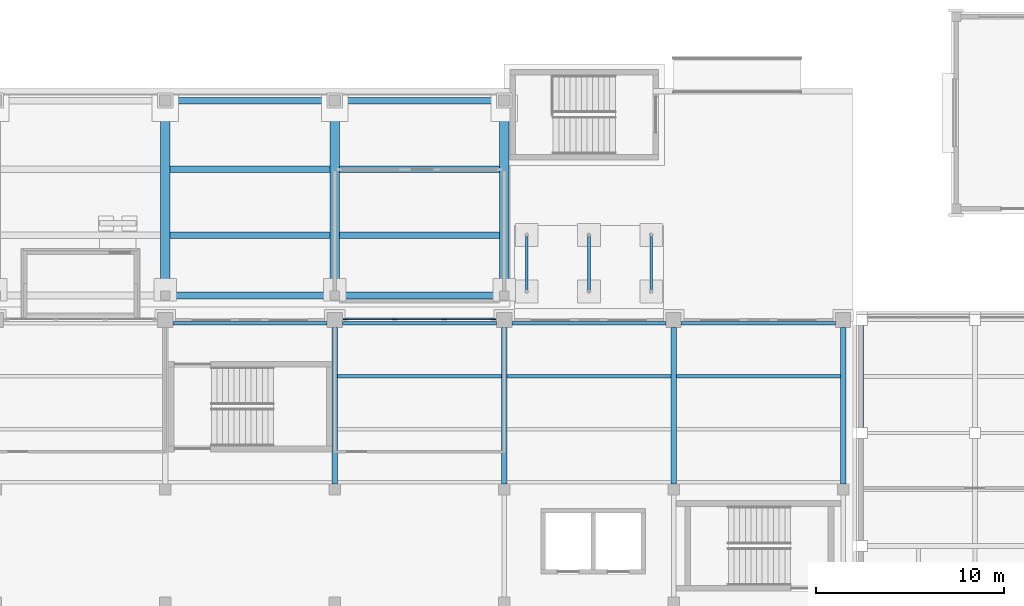
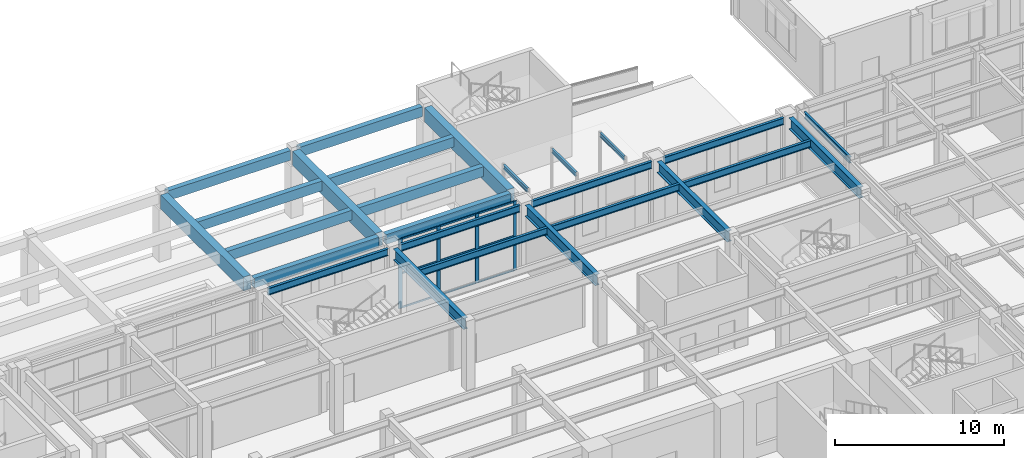
# One storey, part 26 of 77: 26 beams, 13 members, 1 element without a shape of its own.
"""IFC4 building model written with IfcOpenShell, lengths in metres."""

from ifc_helpers import new_model, si_unit, direction, frame, origin, origin_2d, place, context, subcontext, project, spatial, rectangle, i_section, extrude, material, material_profile, profile_set, type_object, element, aggregate, save


model = new_model("IFC4")

# Units and contexts
model_context = context("Model", 3, precision=1e-05, world=origin(), true_north=direction((0.0, 1.0)))
body_context = subcontext(model_context, "Body", "Model", "MODEL_VIEW")
ifc_project = project(units=[si_unit("LENGTHUNIT", "METRE"), si_unit("AREAUNIT", "SQUARE_METRE"), si_unit("VOLUMEUNIT", "CUBIC_METRE"), si_unit("PLANEANGLEUNIT", "RADIAN"), si_unit("MASSUNIT", "GRAM", prefix="KILO")], contexts=[model_context])

# Site, building, storey
site_placement = place(None, origin())
site = spatial("IfcSite", under=ifc_project, at=site_placement, CompositionType="ELEMENT")
building_placement = place(site_placement, origin())
building = spatial("IfcBuilding", under=site, at=building_placement, Name="Aravalli Gate Trade Fair Centre", CompositionType="ELEMENT")
storey_placement = place(building_placement, origin())
storey = spatial("IfcBuildingStorey", under=building, at=storey_placement, Name="L00", CompositionType="ELEMENT", Elevation=0.0)

# Beams
ifc_material_1 = material(Name="Concrete M40", Category="concrete")
ifc_material_profile_1 = material_profile(ifc_material_1, rectangle(XDim=0.5, YDim=1.0, at=origin_2d()), Name="Arcade cross beam 500 x 1000")
ifc_profile_set_1 = profile_set([ifc_material_profile_1], Name="Concrete M40")
beam_type_1 = type_object("IfcBeamType", Name="Arcade cross beam 500 x 1000", PredefinedType="BEAM", material=ifc_profile_set_1)
for number, where, z_axis, x_axis, name in (
    (1, (123.0, 134.550048828125, 4.25), (0.0, 1.0, 0.0), (-1.0, 0.0, 0.0), "Arcade cross beam 14"),
    (2, (132.0, 134.550048828125, 4.25), (0.0, 1.0, 0.0), (-1.0, 0.0, 0.0), "Arcade cross beam 15"),
    (3, (141.0, 134.550048828125, 4.25), (0.0, 1.0, 0.0), (-1.0, 0.0, 0.0), "Arcade cross beam 16"),
):
    element("IfcBeam", number, at=place(storey_placement, frame(where, z_axis=z_axis, x_axis=x_axis)), inside=storey, type_object=beam_type_1, Name=name, PredefinedType="BEAM", context=body_context, shape_type="SweptSolid", body=[
        extrude(rectangle(XDim=0.5, YDim=1.0, at=origin_2d()), origin(), (0.0, 0.0, 1.0), 9.800048828125),
    ])
ifc_material_profile_2 = material_profile(ifc_material_1, rectangle(XDim=0.35009765625, YDim=0.699951171875, at=origin_2d()), Name="Arcade terrace beam 350 x 700")
ifc_profile_set_2 = profile_set([ifc_material_profile_2], Name="Concrete M40")
beam_type_2 = type_object("IfcBeamType", Name="Arcade terrace beam 350 x 700", PredefinedType="BEAM", material=ifc_profile_set_2)
for number, where, z_axis, x_axis, name in (
    (4, (123.25, 134.300048828125, 4.39990234375), (1.0, 0.0, 0.0), (0.0, 1.0, 0.0), "Arcade terrace beam 1.14-15"),
    (5, (123.25, 137.5, 4.39990234375), (1.0, 0.0, 0.0), (0.0, 1.0, 0.0), "Arcade terrace beam 2.14-15"),
    (6, (123.25, 141.0, 4.39990234375), (1.0, 0.0, 0.0), (0.0, 1.0, 0.0), "Arcade terrace beam 3.14-15"),
):
    element("IfcBeam", number, at=place(storey_placement, frame(where, z_axis=z_axis, x_axis=x_axis)), inside=storey, type_object=beam_type_2, Name=name, PredefinedType="BEAM", context=body_context, shape_type="SweptSolid", body=[
        extrude(rectangle(XDim=0.35009765625, YDim=0.699951171875, at=origin_2d()), origin(), (0.0, 0.0, 1.0), 8.5),
    ])
beam_1_placement = place(storey_placement, frame((123.300048828125, 144.64990234375, 4.39990234375), z_axis=(1.0, 0.0, 0.0), x_axis=(0.0, 1.0, 0.0)))
element("IfcBeam", 7, at=beam_1_placement, inside=storey, type_object=beam_type_2, Name="Arcade terrace beam 4.14-15", PredefinedType="BEAM", context=body_context, shape_type="SweptSolid", body=[
    extrude(rectangle(XDim=0.35009765625, YDim=0.699951171875, at=origin_2d()), origin(), (0.0, 0.0, 1.0), 8.39990234375),
])
for number, where, z_axis, x_axis, name in (
    (8, (132.25, 134.300048828125, 4.39990234375), (1.0, 0.0, 0.0), (0.0, 1.0, 0.0), "Arcade terrace beam 1.15-16"),
    (9, (132.25, 137.5, 4.39990234375), (1.0, 0.0, 0.0), (0.0, 1.0, 0.0), "Arcade terrace beam 2.15-16"),
    (10, (132.25, 141.0, 4.39990234375), (1.0, 0.0, 0.0), (0.0, 1.0, 0.0), "Arcade terrace beam 3.15-16"),
):
    element("IfcBeam", number, at=place(storey_placement, frame(where, z_axis=z_axis, x_axis=x_axis)), inside=storey, type_object=beam_type_2, Name=name, PredefinedType="BEAM", context=body_context, shape_type="SweptSolid", body=[
        extrude(rectangle(XDim=0.35009765625, YDim=0.699951171875, at=origin_2d()), origin(), (0.0, 0.0, 1.0), 8.5),
    ])
beam_2_placement = place(storey_placement, frame((132.300048828125, 144.64990234375, 4.39990234375), z_axis=(1.0, 0.0, 0.0), x_axis=(0.0, 1.0, 0.0)))
element("IfcBeam", 11, at=beam_2_placement, inside=storey, type_object=beam_type_2, Name="Arcade terrace beam 4.15-16", PredefinedType="BEAM", context=body_context, shape_type="SweptSolid", body=[
    extrude(rectangle(XDim=0.35009765625, YDim=0.699951171875, at=origin_2d()), origin(), (0.0, 0.0, 1.0), 8.39990234375),
])

# Curtain wall, members
ifc_material_2 = material(Name="Aluminium and glass", Category="aluminium")
curtain_wall_type = type_object("IfcCurtainWallType", Name="Curtain wall 3000 module, tall", PredefinedType="NOTDEFINED", material=ifc_material_2)
curtain_wall_placement = place(storey_placement, origin())
curtain_wall = element("IfcCurtainWall", 12, at=curtain_wall_placement, inside=storey, type_object=curtain_wall_type, Name="Curtain wall north bay 16 L00", PredefinedType="NOTDEFINED")
ifc_material_3 = material(Name="Aluminium", Category="aluminium")
ifc_material_profile_3 = material_profile(ifc_material_3, rectangle(XDim=0.06005859375, YDim=0.25, at=origin_2d()), Name="Concourse curtain wall mullion 60 x 250")
ifc_profile_set_3 = profile_set([ifc_material_profile_3], Name="Aluminium")
member_type_1 = type_object("IfcMemberType", Name="Concourse curtain wall mullion 60 x 250", PredefinedType="MULLION", material=ifc_profile_set_3)
member_1_placement = place(storey_placement, frame((132.580078125, 133.044921875, 0.0), z_axis=(0.0, 0.0, 1.0), x_axis=(0.0, 1.0, 0.0)))
member_1 = element("IfcMember", 13, at=member_1_placement, type_object=member_type_1, Name="CW3 mullion 1", PredefinedType="MULLION", context=body_context, shape_type="SweptSolid", body=[
    extrude(rectangle(XDim=0.06005859375, YDim=0.25, at=origin_2d()), origin(), (0.0, 0.0, 1.0), 5.0),
])
member_2_placement = place(storey_placement, frame((135.183349609375, 133.044921875, 0.0), z_axis=(0.0, 0.0, 1.0), x_axis=(0.0, 1.0, 0.0)))
member_2 = element("IfcMember", 14, at=member_2_placement, type_object=member_type_1, Name="CW3 mullion 2", PredefinedType="MULLION", context=body_context, shape_type="SweptSolid", body=[
    extrude(rectangle(XDim=0.06005859375, YDim=0.25, at=origin_2d()), origin(), (0.0, 0.0, 1.0), 5.0),
])
member_3_placement = place(storey_placement, frame((137.816650390625, 133.044921875, 0.0), z_axis=(0.0, 0.0, 1.0), x_axis=(0.0, 1.0, 0.0)))
member_3 = element("IfcMember", 15, at=member_3_placement, type_object=member_type_1, Name="CW3 mullion 3", PredefinedType="MULLION", context=body_context, shape_type="SweptSolid", body=[
    extrude(rectangle(XDim=0.06005859375, YDim=0.25, at=origin_2d()), origin(), (0.0, 0.0, 1.0), 5.0),
])
member_4_placement = place(storey_placement, frame((140.419921875, 133.044921875, 0.0), z_axis=(0.0, 0.0, 1.0), x_axis=(0.0, 1.0, 0.0)))
member_4 = element("IfcMember", 16, at=member_4_placement, type_object=member_type_1, Name="CW3 mullion 4", PredefinedType="MULLION", context=body_context, shape_type="SweptSolid", body=[
    extrude(rectangle(XDim=0.06005859375, YDim=0.25, at=origin_2d()), origin(), (0.0, 0.0, 1.0), 5.0),
])
ifc_material_profile_4 = material_profile(ifc_material_3, rectangle(XDim=0.06005859375, YDim=0.1201171875, at=origin_2d()), Name="Concourse curtain wall transom 60 x 120")
ifc_profile_set_4 = profile_set([ifc_material_profile_4], Name="Aluminium")
member_type_2 = type_object("IfcMemberType", Name="Concourse curtain wall transom 60 x 120", PredefinedType="USERDEFINED", material=ifc_profile_set_4)
member_5_placement = place(storey_placement, frame((132.610107421875, 133.044921875, 0.030029296875), z_axis=(1.0, 0.0, 0.0), x_axis=(0.0, 1.0, 0.0)))
member_5 = element("IfcMember", 17, at=member_5_placement, type_object=member_type_2, Name="CW3 transom 1.1", ObjectType="TRANSOM", PredefinedType="USERDEFINED", context=body_context, shape_type="SweptSolid", body=[
    extrude(rectangle(XDim=0.06005859375, YDim=0.1201171875, at=origin_2d()), origin(), (0.0, 0.0, 1.0), 2.543212890625),
])
member_6_placement = place(storey_placement, frame((132.610107421875, 133.044921875, 2.5), z_axis=(1.0, 0.0, 0.0), x_axis=(0.0, 1.0, 0.0)))
member_6 = element("IfcMember", 18, at=member_6_placement, type_object=member_type_2, Name="CW3 transom 1.2", ObjectType="TRANSOM", PredefinedType="USERDEFINED", context=body_context, shape_type="SweptSolid", body=[
    extrude(rectangle(XDim=0.06005859375, YDim=0.1201171875, at=origin_2d()), origin(), (0.0, 0.0, 1.0), 2.543212890625),
])
member_7_placement = place(storey_placement, frame((132.610107421875, 133.044921875, 4.969970703125), z_axis=(1.0, 0.0, 0.0), x_axis=(0.0, 1.0, 0.0)))
member_7 = element("IfcMember", 19, at=member_7_placement, type_object=member_type_2, Name="CW3 transom 1.3", ObjectType="TRANSOM", PredefinedType="USERDEFINED", context=body_context, shape_type="SweptSolid", body=[
    extrude(rectangle(XDim=0.06005859375, YDim=0.1201171875, at=origin_2d()), origin(), (0.0, 0.0, 1.0), 2.543212890625),
])
member_8_placement = place(storey_placement, frame((135.21337890625, 133.044921875, 0.030029296875), z_axis=(1.0, 0.0, 0.0), x_axis=(0.0, 1.0, 0.0)))
member_8 = element("IfcMember", 20, at=member_8_placement, type_object=member_type_2, Name="CW3 transom 2.1", ObjectType="TRANSOM", PredefinedType="USERDEFINED", context=body_context, shape_type="SweptSolid", body=[
    extrude(rectangle(XDim=0.06005859375, YDim=0.1201171875, at=origin_2d()), origin(), (0.0, 0.0, 1.0), 2.5732421875),
])
member_9_placement = place(storey_placement, frame((135.21337890625, 133.044921875, 2.5), z_axis=(1.0, 0.0, 0.0), x_axis=(0.0, 1.0, 0.0)))
member_9 = element("IfcMember", 21, at=member_9_placement, type_object=member_type_2, Name="CW3 transom 2.2", ObjectType="TRANSOM", PredefinedType="USERDEFINED", context=body_context, shape_type="SweptSolid", body=[
    extrude(rectangle(XDim=0.06005859375, YDim=0.1201171875, at=origin_2d()), origin(), (0.0, 0.0, 1.0), 2.5732421875),
])
member_10_placement = place(storey_placement, frame((135.21337890625, 133.044921875, 4.969970703125), z_axis=(1.0, 0.0, 0.0), x_axis=(0.0, 1.0, 0.0)))
member_10 = element("IfcMember", 22, at=member_10_placement, type_object=member_type_2, Name="CW3 transom 2.3", ObjectType="TRANSOM", PredefinedType="USERDEFINED", context=body_context, shape_type="SweptSolid", body=[
    extrude(rectangle(XDim=0.06005859375, YDim=0.1201171875, at=origin_2d()), origin(), (0.0, 0.0, 1.0), 2.5732421875),
])
member_11_placement = place(storey_placement, frame((137.8466796875, 133.044921875, 0.030029296875), z_axis=(1.0, 0.0, 0.0), x_axis=(0.0, 1.0, 0.0)))
member_11 = element("IfcMember", 23, at=member_11_placement, type_object=member_type_2, Name="CW3 transom 3.1", ObjectType="TRANSOM", PredefinedType="USERDEFINED", context=body_context, shape_type="SweptSolid", body=[
    extrude(rectangle(XDim=0.06005859375, YDim=0.1201171875, at=origin_2d()), origin(), (0.0, 0.0, 1.0), 2.543212890625),
])
member_12_placement = place(storey_placement, frame((137.8466796875, 133.044921875, 2.5), z_axis=(1.0, 0.0, 0.0), x_axis=(0.0, 1.0, 0.0)))
member_12 = element("IfcMember", 24, at=member_12_placement, type_object=member_type_2, Name="CW3 transom 3.2", ObjectType="TRANSOM", PredefinedType="USERDEFINED", context=body_context, shape_type="SweptSolid", body=[
    extrude(rectangle(XDim=0.06005859375, YDim=0.1201171875, at=origin_2d()), origin(), (0.0, 0.0, 1.0), 2.543212890625),
])
member_13_placement = place(storey_placement, frame((137.8466796875, 133.044921875, 4.969970703125), z_axis=(1.0, 0.0, 0.0), x_axis=(0.0, 1.0, 0.0)))
member_13 = element("IfcMember", 25, at=member_13_placement, type_object=member_type_2, Name="CW3 transom 3.3", ObjectType="TRANSOM", PredefinedType="USERDEFINED", context=body_context, shape_type="SweptSolid", body=[
    extrude(rectangle(XDim=0.06005859375, YDim=0.1201171875, at=origin_2d()), origin(), (0.0, 0.0, 1.0), 2.543212890625),
])
aggregate(curtain_wall, [member_1, member_2, member_3, member_4, member_5, member_6, member_7, member_8, member_9, member_10, member_11, member_12, member_13])

# Beams
ifc_material_4 = material(Name="Steel E350", Category="steel")
ifc_material_profile_5 = material_profile(ifc_material_4, i_section(OverallWidth=0.139892578125, OverallDepth=0.300048828125, WebThickness=0.0078125, FlangeThickness=0.01318359375, at=origin_2d()), Name="ISMB 300")
ifc_profile_set_5 = profile_set([ifc_material_profile_5], Name="Steel E350")
beam_type_3 = type_object("IfcBeamType", Name="ISMB 300 canopy beam", PredefinedType="BEAM", material=ifc_profile_set_5)
for number, where, z_axis, x_axis, name in (
    (26, (142.199951171875, 134.598388671875, 4.199951171875), (0.0, 1.0, 0.0), (-1.0, 0.0, 0.0), "Canopy beam east 1"),
    (27, (145.5, 134.598388671875, 4.199951171875), (0.0, 1.0, 0.0), (-1.0, 0.0, 0.0), "Canopy beam east 2"),
    (28, (148.800048828125, 134.598388671875, 4.199951171875), (0.0, 1.0, 0.0), (-1.0, 0.0, 0.0), "Canopy beam east 3"),
):
    element("IfcBeam", number, at=place(storey_placement, frame(where, z_axis=z_axis, x_axis=x_axis)), inside=storey, type_object=beam_type_3, Name=name, PredefinedType="BEAM", context=body_context, shape_type="SweptSolid", body=[
        extrude(i_section(OverallWidth=0.139892578125, OverallDepth=0.300048828125, WebThickness=0.0078125, FlangeThickness=0.01318359375, at=origin_2d()), origin(), (0.0, 0.0, 1.0), 2.831787109375),
    ])
ifc_material_profile_6 = material_profile(ifc_material_4, i_section(OverallWidth=0.179931640625, OverallDepth=0.5, WebThickness=0.01025390625, FlangeThickness=0.01708984375, at=origin_2d()), Name="ISMB 500")
ifc_profile_set_6 = profile_set([ifc_material_profile_6], Name="Steel E350")
beam_type_4 = type_object("IfcBeamType", Name="ISMB 500 gallery secondary beam", PredefinedType="JOIST", material=ifc_profile_set_6)
beam_3_placement = place(storey_placement, frame((123.39990234375, 132.830078125, 4.550048828125), z_axis=(1.0, 0.0, 0.0), x_axis=(0.0, 1.0, 0.0)))
element("IfcBeam", 29, at=beam_3_placement, inside=storey, type_object=beam_type_4, Name="Gallery beam N7 14-15 L01", PredefinedType="JOIST", context=body_context, shape_type="SweptSolid", body=[
    extrude(i_section(OverallWidth=0.179931640625, OverallDepth=0.5, WebThickness=0.01025390625, FlangeThickness=0.01708984375, at=origin_2d()), origin(), (0.0, 0.0, 1.0), 8.2001953125),
])
beam_4_placement = place(storey_placement, frame((132.14990234375, 130.0166015625, 4.550048828125), z_axis=(1.0, 0.0, 0.0), x_axis=(0.0, 1.0, 0.0)))
element("IfcBeam", 30, at=beam_4_placement, inside=storey, type_object=beam_type_4, Name="Gallery beam N6 15-16 L01", PredefinedType="JOIST", context=body_context, shape_type="SweptSolid", body=[
    extrude(i_section(OverallWidth=0.179931640625, OverallDepth=0.5, WebThickness=0.01025390625, FlangeThickness=0.01708984375, at=origin_2d()), origin(), (0.0, 0.0, 1.0), 8.7001953125),
])
beam_5_placement = place(storey_placement, frame((132.39990234375, 132.830078125, 4.550048828125), z_axis=(1.0, 0.0, 0.0), x_axis=(0.0, 1.0, 0.0)))
element("IfcBeam", 31, at=beam_5_placement, inside=storey, type_object=beam_type_4, Name="Gallery beam N7 15-16 L01", PredefinedType="JOIST", context=body_context, shape_type="SweptSolid", body=[
    extrude(i_section(OverallWidth=0.179931640625, OverallDepth=0.5, WebThickness=0.01025390625, FlangeThickness=0.01708984375, at=origin_2d()), origin(), (0.0, 0.0, 1.0), 8.2001953125),
])
beam_6_placement = place(storey_placement, frame((141.14990234375, 130.0166015625, 4.550048828125), z_axis=(1.0, 0.0, 0.0), x_axis=(0.0, 1.0, 0.0)))
element("IfcBeam", 32, at=beam_6_placement, inside=storey, type_object=beam_type_4, Name="Gallery beam N6 16-17 L01", PredefinedType="JOIST", context=body_context, shape_type="SweptSolid", body=[
    extrude(i_section(OverallWidth=0.179931640625, OverallDepth=0.5, WebThickness=0.01025390625, FlangeThickness=0.01708984375, at=origin_2d()), origin(), (0.0, 0.0, 1.0), 8.7001953125),
])
beam_7_placement = place(storey_placement, frame((141.39990234375, 132.830078125, 4.550048828125), z_axis=(1.0, 0.0, 0.0), x_axis=(0.0, 1.0, 0.0)))
element("IfcBeam", 33, at=beam_7_placement, inside=storey, type_object=beam_type_4, Name="Gallery beam N7 16-17 L01", PredefinedType="JOIST", context=body_context, shape_type="SweptSolid", body=[
    extrude(i_section(OverallWidth=0.179931640625, OverallDepth=0.5, WebThickness=0.01025390625, FlangeThickness=0.01708984375, at=origin_2d()), origin(), (0.0, 0.0, 1.0), 8.2001953125),
])
beam_8_placement = place(storey_placement, frame((150.14990234375, 130.0166015625, 4.550048828125), z_axis=(1.0, 0.0, 0.0), x_axis=(0.0, 1.0, 0.0)))
element("IfcBeam", 34, at=beam_8_placement, inside=storey, type_object=beam_type_4, Name="Gallery beam N6 17-E L01", PredefinedType="JOIST", context=body_context, shape_type="SweptSolid", body=[
    extrude(i_section(OverallWidth=0.179931640625, OverallDepth=0.5, WebThickness=0.01025390625, FlangeThickness=0.01708984375, at=origin_2d()), origin(), (0.0, 0.0, 1.0), 8.7001953125),
])
beam_9_placement = place(storey_placement, frame((150.39990234375, 132.830078125, 4.550048828125), z_axis=(1.0, 0.0, 0.0), x_axis=(0.0, 1.0, 0.0)))
element("IfcBeam", 35, at=beam_9_placement, inside=storey, type_object=beam_type_4, Name="Gallery beam N7 17-E L01", PredefinedType="JOIST", context=body_context, shape_type="SweptSolid", body=[
    extrude(i_section(OverallWidth=0.179931640625, OverallDepth=0.5, WebThickness=0.01025390625, FlangeThickness=0.01708984375, at=origin_2d()), origin(), (0.0, 0.0, 1.0), 8.2001953125),
])
ifc_material_profile_7 = material_profile(ifc_material_4, i_section(OverallWidth=0.300048828125, OverallDepth=0.800048828125, WebThickness=0.011962890625, FlangeThickness=0.02490234375, at=origin_2d()), Name="PG 800x300x12x25")
ifc_profile_set_7 = profile_set([ifc_material_profile_7], Name="Steel E350")
beam_type_5 = type_object("IfcBeamType", Name="PG 800x300x12x25 gallery plate girder", PredefinedType="BEAM", material=ifc_profile_set_7)
for number, where, z_axis, x_axis, name in (
    (36, (132.0, 124.300048828125, 4.39990234375), (0.0, 1.0, 0.0), (-1.0, 0.0, 0.0), "Gallery girder N15 L01"),
    (37, (141.0, 124.300048828125, 4.39990234375), (0.0, 1.0, 0.0), (-1.0, 0.0, 0.0), "Gallery girder N16 L01"),
    (38, (150.0, 124.300048828125, 4.39990234375), (0.0, 1.0, 0.0), (-1.0, 0.0, 0.0), "Gallery girder N17 L01"),
    (39, (159.0, 124.300048828125, 4.39990234375), (0.0, 1.0, 0.0), (-1.0, 0.0, 0.0), "Gallery girder NE L01"),
):
    element("IfcBeam", number, at=place(storey_placement, frame(where, z_axis=z_axis, x_axis=x_axis)), inside=storey, type_object=beam_type_5, Name=name, PredefinedType="BEAM", context=body_context, shape_type="SweptSolid", body=[
        extrude(i_section(OverallWidth=0.300048828125, OverallDepth=0.800048828125, WebThickness=0.011962890625, FlangeThickness=0.02490234375, at=origin_2d()), origin(), (0.0, 0.0, 1.0), 8.300048828125),
    ])
ifc_material_profile_8 = material_profile(ifc_material_4, i_section(OverallWidth=0.14990234375, OverallDepth=0.449951171875, WebThickness=0.009521484375, FlangeThickness=0.017333984375, at=origin_2d()), Name="ISMB 450")
ifc_profile_set_8 = profile_set([ifc_material_profile_8], Name="Steel E350")
beam_type_6 = type_object("IfcBeamType", Name="Wing perimeter beam ISMB 450 (podium floors)", PredefinedType="BEAM", material=ifc_profile_set_8)
beam_10_placement = place(storey_placement, frame((160.0, 127.300048828125, 4.574951171875), z_axis=(0.0, 1.0, 0.0), x_axis=(-1.0, 0.0, 0.0)))
element("IfcBeam", 40, at=beam_10_placement, inside=storey, type_object=beam_type_6, Name="Perimeter beam EW6 L01", PredefinedType="BEAM", context=body_context, shape_type="SweptSolid", body=[
    extrude(i_section(OverallWidth=0.14990234375, OverallDepth=0.449951171875, WebThickness=0.009521484375, FlangeThickness=0.017333984375, at=origin_2d()), origin(), (0.0, 0.0, 1.0), 5.39990234375),
])

save(model, "model.ifc")
